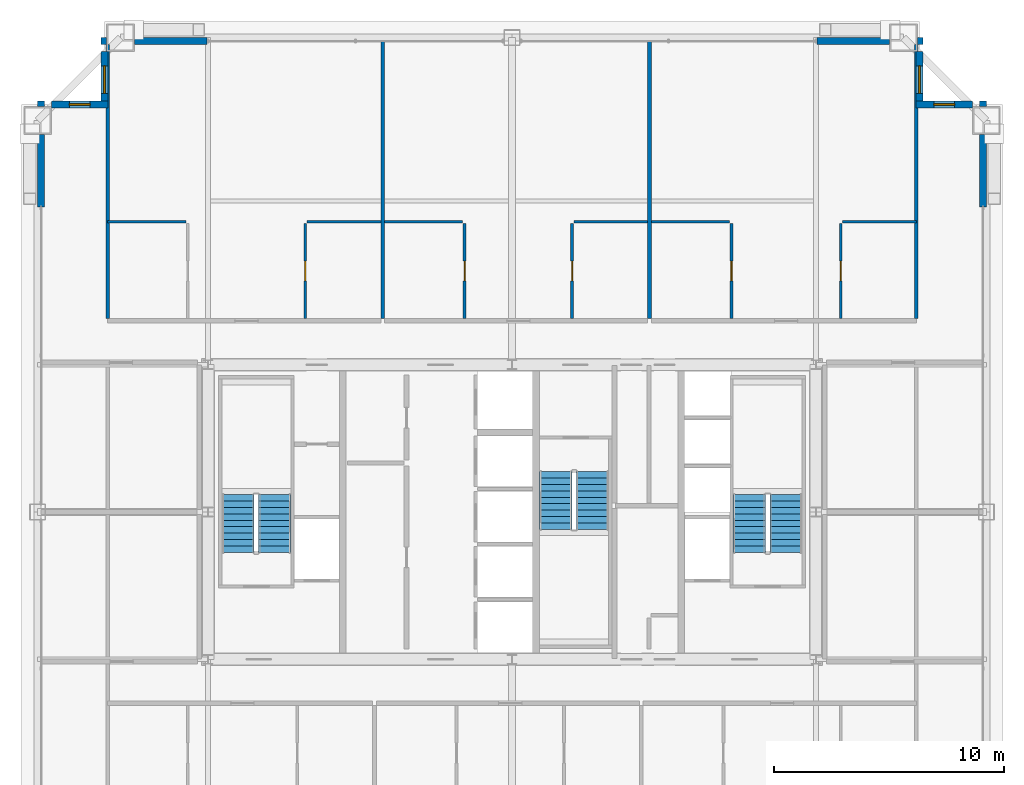
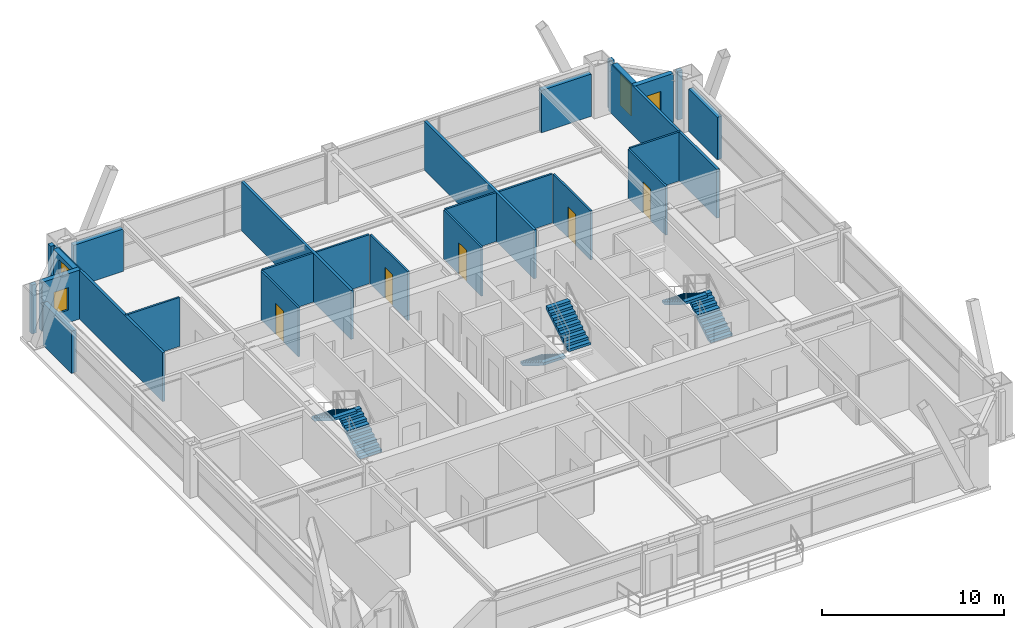
# One storey, part 33 of 34: 27 walls, 6 stair flights, 5 doors, 4 windows, 9 openings, 3 elements without a shape of their own.
"""IFC4 building model written with IfcOpenShell, lengths in metres."""

from ifc_helpers import new_model, si_unit, direction, frame, frame_2d, origin, place, context, subcontext, project, spatial, polyline, rectangle, outline, extrude, source, transform, mapped, material, layer, layer_set, type_object, element, fill, aggregate, save


model = new_model("IFC4")

# Units and contexts
model_context = context("Model", 3, precision=1e-05, world=origin(), true_north=direction((0.0, 1.0)))
body_context = subcontext(model_context, "Body", "Model", "MODEL_VIEW")
ifc_project = project(units=[si_unit("LENGTHUNIT", "METRE"), si_unit("AREAUNIT", "SQUARE_METRE"), si_unit("VOLUMEUNIT", "CUBIC_METRE"), si_unit("PLANEANGLEUNIT", "RADIAN"), si_unit("MASSUNIT", "GRAM", prefix="KILO"), si_unit("THERMODYNAMICTEMPERATUREUNIT", "KELVIN"), si_unit("POWERUNIT", "WATT")], contexts=[model_context])

# Site, building, storey
site_placement = place(None, origin())
site = spatial("IfcSite", under=ifc_project, at=site_placement, CompositionType="ELEMENT")
building_placement = place(site_placement, origin())
building = spatial("IfcBuilding", under=site, at=building_placement, Name="Yuzanri Waterfront Tower", CompositionType="ELEMENT")
storey_placement = place(building_placement, frame((0.0, 0.0, 241.60009765625)))
storey = spatial("IfcBuildingStorey", under=building, at=storey_placement, Name="L64", CompositionType="ELEMENT", Elevation=241.60009765625)

# Wall, opening, door
ifc_material_1 = material(Name="Moisture-Resistant Gypsum Stud Wall", Category="gypsum")
ifc_layer_1 = layer(ifc_material_1, 0.1201171875)
ifc_layer_set_1 = layer_set([ifc_layer_1], Name="Moisture-Resistant Gypsum Stud Wall")
wall_type_1 = type_object("IfcWallType", Name="Bathroom and Kitchen Wet Partition 120", PredefinedType="PARTITIONING", material=ifc_layer_set_1)
wall_1_placement = place(storey_placement, frame((28.02099609375, 34.2099609375, 0.0), z_axis=(0.0, 0.0, 1.0), x_axis=(0.0, 1.0, 0.0)))
wall_1 = element("IfcWall", 1, at=wall_1_placement, inside=storey, type_object=wall_type_1, Name="L64 Partition UW-L64-RN1-SUB-2-W", PredefinedType="PARTITIONING", context=body_context, shape_type="SweptSolid", body=[
    extrude(rectangle(XDim=4.110107421875, YDim=0.1201171875, at=frame_2d((2.05517578125, 0.0))), origin(), (0.0, 0.0, 1.0), 3.27978515625),
])
opening_1_placement = place(wall_1_placement, frame((1.6298828125, 0.0, 0.0)))
opening_1 = element("IfcOpeningElement", 2, at=opening_1_placement, cuts=wall_1, Name="Opening ID-0850", PredefinedType="OPENING", context=body_context, shape_type="SweptSolid", body=[
    extrude(rectangle(XDim=0.85009765625, YDim=2.10009765625, at=frame_2d((0.425048828125, 1.050048828125))), frame((0.0, 0.074951171875, 0.0), z_axis=(0.0, -1.0, 0.0), x_axis=(1.0, 0.0, 0.0)), (0.0, 0.0, 1.0), 0.14990234375),
])
ifc_material_2 = material(Name="Moisture-Resistant Lacquered Timber", Category="wood")
door_type = type_object("IfcDoorType", Name="En-Suite Bathroom and Kitchen Swing Door 850x2100", OperationType="NOTDEFINED", PredefinedType="DOOR", material=ifc_material_2)
shared_shape_1 = source(origin(), body_context, "Body", "SweptSolid", [
    extrude(rectangle(XDim=0.85009765625, YDim=2.10009765625, at=frame_2d((0.425048828125, 1.050048828125))), frame((0.0, 0.02490234375, 0.0), z_axis=(0.0, -1.0, 0.0), x_axis=(1.0, 0.0, 0.0)), (0.0, 0.0, 1.0), 0.050048828125),
])
door_1_placement = place(opening_1_placement, origin())
door_1 = element("IfcDoor", 3, at=door_1_placement, inside=storey, type_object=door_type, Name="L64 Suite Interior Room Door", OperationType="SINGLE_SWING_LEFT", OverallHeight=2.10009765625, OverallWidth=0.85009765625, PredefinedType="DOOR", context=body_context, shape_type="MappedRepresentation", body=[
    mapped(shared_shape_1, transform((0.0, 0.0, 0.0), scale=1.0)),
])
fill(opening_1, door_1)

wall_2_placement = place(storey_placement, frame((34.94091796875, 34.2099609375, 0.0), z_axis=(0.0, 0.0, 1.0), x_axis=(0.0, 1.0, 0.0)))
wall_2 = element("IfcWall", 4, at=wall_2_placement, inside=storey, type_object=wall_type_1, Name="L64 Partition UW-L64-RN2-SUB-1-E", PredefinedType="PARTITIONING", context=body_context, shape_type="SweptSolid", body=[
    extrude(rectangle(XDim=4.110107421875, YDim=0.1201171875, at=frame_2d((2.05517578125, 0.0))), origin(), (0.0, 0.0, 1.0), 3.27978515625),
])
opening_2_placement = place(wall_2_placement, frame((1.6298828125, 0.0, 0.0)))
opening_2 = element("IfcOpeningElement", 5, at=opening_2_placement, cuts=wall_2, Name="Opening ID-0850", PredefinedType="OPENING", context=body_context, shape_type="SweptSolid", body=[
    extrude(rectangle(XDim=0.85009765625, YDim=2.10009765625, at=frame_2d((0.425048828125, 1.050048828125))), frame((0.0, 0.074951171875, 0.0), z_axis=(0.0, -1.0, 0.0), x_axis=(1.0, 0.0, 0.0)), (0.0, 0.0, 1.0), 0.14990234375),
])
door_2_placement = place(opening_2_placement, origin())
door_2 = element("IfcDoor", 6, at=door_2_placement, inside=storey, type_object=door_type, Name="L64 Suite Interior Room Door", OperationType="SINGLE_SWING_LEFT", OverallHeight=2.10009765625, OverallWidth=0.85009765625, PredefinedType="DOOR", context=body_context, shape_type="MappedRepresentation", body=[
    mapped(shared_shape_1, transform((0.0, 0.0, 0.0), scale=1.0)),
])
fill(opening_2, door_2)

wall_3_placement = place(storey_placement, frame((39.610107421875, 34.2099609375, 0.0), z_axis=(0.0, 0.0, 1.0), x_axis=(0.0, 1.0, 0.0)))
wall_3 = element("IfcWall", 7, at=wall_3_placement, inside=storey, type_object=wall_type_1, Name="L64 Partition UW-L64-RN2-SUB-2-W", PredefinedType="PARTITIONING", context=body_context, shape_type="SweptSolid", body=[
    extrude(rectangle(XDim=4.110107421875, YDim=0.1201171875, at=frame_2d((2.05517578125, 0.0))), origin(), (0.0, 0.0, 1.0), 3.27978515625),
])
opening_3_placement = place(wall_3_placement, frame((1.6298828125, 0.0, 0.0)))
opening_3 = element("IfcOpeningElement", 8, at=opening_3_placement, cuts=wall_3, Name="Opening ID-0850", PredefinedType="OPENING", context=body_context, shape_type="SweptSolid", body=[
    extrude(rectangle(XDim=0.85009765625, YDim=2.10009765625, at=frame_2d((0.425048828125, 1.050048828125))), frame((0.0, 0.074951171875, 0.0), z_axis=(0.0, -1.0, 0.0), x_axis=(1.0, 0.0, 0.0)), (0.0, 0.0, 1.0), 0.14990234375),
])
door_3_placement = place(opening_3_placement, origin())
door_3 = element("IfcDoor", 9, at=door_3_placement, inside=storey, type_object=door_type, Name="L64 Suite Interior Room Door", OperationType="SINGLE_SWING_RIGHT", OverallHeight=2.10009765625, OverallWidth=0.85009765625, PredefinedType="DOOR", context=body_context, shape_type="MappedRepresentation", body=[
    mapped(shared_shape_1, transform((0.0, 0.0, 0.0), scale=1.0)),
])
fill(opening_3, door_3)

wall_4_placement = place(storey_placement, frame((46.530029296875, 34.2099609375, 0.0), z_axis=(0.0, 0.0, 1.0), x_axis=(0.0, 1.0, 0.0)))
wall_4 = element("IfcWall", 10, at=wall_4_placement, inside=storey, type_object=wall_type_1, Name="L64 Partition UW-L64-RN3-SUB-1-E", PredefinedType="PARTITIONING", context=body_context, shape_type="SweptSolid", body=[
    extrude(rectangle(XDim=4.110107421875, YDim=0.1201171875, at=frame_2d((2.05517578125, 0.0))), origin(), (0.0, 0.0, 1.0), 3.27978515625),
])
opening_4_placement = place(wall_4_placement, frame((1.6298828125, 0.0, 0.0)))
opening_4 = element("IfcOpeningElement", 11, at=opening_4_placement, cuts=wall_4, Name="Opening ID-0850", PredefinedType="OPENING", context=body_context, shape_type="SweptSolid", body=[
    extrude(rectangle(XDim=0.85009765625, YDim=2.10009765625, at=frame_2d((0.425048828125, 1.050048828125))), frame((0.0, 0.074951171875, 0.0), z_axis=(0.0, -1.0, 0.0), x_axis=(1.0, 0.0, 0.0)), (0.0, 0.0, 1.0), 0.14990234375),
])
door_4_placement = place(opening_4_placement, origin())
door_4 = element("IfcDoor", 12, at=door_4_placement, inside=storey, type_object=door_type, Name="L64 Suite Interior Room Door", OperationType="SINGLE_SWING_RIGHT", OverallHeight=2.10009765625, OverallWidth=0.85009765625, PredefinedType="DOOR", context=body_context, shape_type="MappedRepresentation", body=[
    mapped(shared_shape_1, transform((0.0, 0.0, 0.0), scale=1.0)),
])
fill(opening_4, door_4)

wall_5_placement = place(storey_placement, frame((51.280029296875, 34.2099609375, 0.0), z_axis=(0.0, 0.0, 1.0), x_axis=(0.0, 1.0, 0.0)))
wall_5 = element("IfcWall", 13, at=wall_5_placement, inside=storey, type_object=wall_type_1, Name="L64 Partition UW-L64-RN3-SUB-2-W", PredefinedType="PARTITIONING", context=body_context, shape_type="SweptSolid", body=[
    extrude(rectangle(XDim=4.110107421875, YDim=0.1201171875, at=frame_2d((2.05517578125, 0.0))), origin(), (0.0, 0.0, 1.0), 3.27978515625),
])
opening_5_placement = place(wall_5_placement, frame((1.6298828125, 0.0, 0.0)))
opening_5 = element("IfcOpeningElement", 14, at=opening_5_placement, cuts=wall_5, Name="Opening ID-0850", PredefinedType="OPENING", context=body_context, shape_type="SweptSolid", body=[
    extrude(rectangle(XDim=0.85009765625, YDim=2.10009765625, at=frame_2d((0.425048828125, 1.050048828125))), frame((0.0, 0.074951171875, 0.0), z_axis=(0.0, -1.0, 0.0), x_axis=(1.0, 0.0, 0.0)), (0.0, 0.0, 1.0), 0.14990234375),
])
door_5_placement = place(opening_5_placement, origin())
door_5 = element("IfcDoor", 15, at=door_5_placement, inside=storey, type_object=door_type, Name="L64 Suite Interior Room Door", OperationType="SINGLE_SWING_LEFT", OverallHeight=2.10009765625, OverallWidth=0.85009765625, PredefinedType="DOOR", context=body_context, shape_type="MappedRepresentation", body=[
    mapped(shared_shape_1, transform((0.0, 0.0, 0.0), scale=1.0)),
])
fill(opening_5, door_5)

# Wall, opening, window
ifc_material_3 = material(Name="Honed Chongqing Dark Basalt Stone", Category="masonry")
ifc_layer_2 = layer(ifc_material_3, 0.300048828125)
ifc_layer_set_2 = layer_set([ifc_layer_2], Name="Honed Chongqing Dark Basalt Stone")
wall_type_2 = type_object("IfcWallType", Name="Bronze Rainscreen Insulated Spandrel Portal Wall 300", PredefinedType="SOLIDWALL", material=ifc_layer_set_2)
wall_6_placement = place(storey_placement, frame((19.449951171875, 43.5, 0.0), z_axis=(0.0, 0.0, 1.0), x_axis=(-1.0, 0.0, 0.0)))
wall_6 = element("IfcWall", 16, at=wall_6_placement, inside=storey, type_object=wall_type_2, Name="L64 Notched Corner Masonry Wall NW-X", PredefinedType="SOLIDWALL", context=body_context, shape_type="SweptSolid", body=[
    extrude(rectangle(XDim=2.449951171875, YDim=0.300048828125, at=frame_2d((1.22509765625, 0.0))), origin(), (0.0, 0.0, 1.0), 3.27978515625),
])
opening_6_placement = place(wall_6_placement, frame((0.77490234375, 0.0, 0.85009765625)))
opening_6 = element("IfcOpeningElement", 17, at=opening_6_placement, cuts=wall_6, Name="Opening WN-05", PredefinedType="OPENING", context=body_context, shape_type="SweptSolid", body=[
    extrude(rectangle(XDim=0.89990234375, YDim=1.5, at=frame_2d((0.449951171875, 0.75))), frame((0.0, 0.1650390625, 0.0), z_axis=(0.0, -1.0, 0.0), x_axis=(1.0, 0.0, 0.0)), (0.0, 0.0, 1.0), 0.329833984375),
])
ifc_material_4 = material(Name="Double-Silver Low-E Insulated Glass", Category="glass")
window_type_1 = type_object("IfcWindowType", Name="Anodized Bronze Service and Stairwell Smoke-Vent Window 900x1500", PartitioningType="SINGLE_PANEL", PredefinedType="WINDOW", material=ifc_material_4)
shared_shape_2 = source(origin(), body_context, "Body", "SweptSolid", [
    extrude(rectangle(XDim=0.89990234375, YDim=1.5, at=frame_2d((0.449951171875, 0.75))), frame((0.0, 0.030029296875, 0.0), z_axis=(0.0, -1.0, 0.0), x_axis=(1.0, 0.0, 0.0)), (0.0, 0.0, 1.0), 0.06005859375),
])
window_1_placement = place(opening_6_placement, origin())
window_1 = element("IfcWindow", 18, at=window_1_placement, inside=storey, type_object=window_type_1, Name="L64 Notched Corner Window NW-X", OverallHeight=1.5, OverallWidth=0.89990234375, PartitioningType="SINGLE_PANEL", PredefinedType="WINDOW", context=body_context, shape_type="MappedRepresentation", body=[
    mapped(shared_shape_2, transform((0.0, 0.0, 0.0), scale=1.0)),
])
fill(opening_6, window_1)

wall_7_placement = place(storey_placement, frame((19.300048828125, 45.800048828125, 0.0), z_axis=(0.0, 0.0, 1.0), x_axis=(0.0, -1.0, 0.0)))
wall_7 = element("IfcWall", 19, at=wall_7_placement, inside=storey, type_object=wall_type_2, Name="L64 Notched Corner Masonry Wall NW-Y", PredefinedType="SOLIDWALL", context=body_context, shape_type="SweptSolid", body=[
    extrude(rectangle(XDim=2.449951171875, YDim=0.300048828125, at=frame_2d((1.22509765625, 0.0))), origin(), (0.0, 0.0, 1.0), 3.27978515625),
])
opening_7_placement = place(wall_7_placement, frame((0.625, 0.0, 0.85009765625)))
opening_7 = element("IfcOpeningElement", 20, at=opening_7_placement, cuts=wall_7, Name="Opening WN-02", PredefinedType="OPENING", context=body_context, shape_type="SweptSolid", body=[
    extrude(rectangle(XDim=1.199951171875, YDim=2.10009765625, at=frame_2d((0.60009765625, 1.050048828125))), frame((0.0, 0.1650390625, 0.0), z_axis=(0.0, -1.0, 0.0), x_axis=(1.0, 0.0, 0.0)), (0.0, 0.0, 1.0), 0.329833984375),
])
ifc_material_5 = material(Name="Double-Silver Low-E Insulated Glass", Category="glass")
window_type_2 = type_object("IfcWindowType", Name="Anodized Bronze Notched Corner Deep-Set Slot Window 1200x2100", PartitioningType="SINGLE_PANEL", PredefinedType="WINDOW", material=ifc_material_5)
shared_shape_3 = source(origin(), body_context, "Body", "SweptSolid", [
    extrude(rectangle(XDim=1.199951171875, YDim=2.10009765625, at=frame_2d((0.60009765625, 1.050048828125))), frame((0.0, 0.030029296875, 0.0), z_axis=(0.0, -1.0, 0.0), x_axis=(1.0, 0.0, 0.0)), (0.0, 0.0, 1.0), 0.06005859375),
])
window_2_placement = place(opening_7_placement, origin())
window_2 = element("IfcWindow", 21, at=window_2_placement, inside=storey, type_object=window_type_2, Name="L64 Notched Corner Window NW-Y", OverallHeight=2.10009765625, OverallWidth=1.199951171875, PartitioningType="SINGLE_PANEL", PredefinedType="WINDOW", context=body_context, shape_type="MappedRepresentation", body=[
    mapped(shared_shape_3, transform((0.0, 0.0, 0.0), scale=1.0)),
])
fill(opening_7, window_2)

wall_8_placement = place(storey_placement, frame((57.0, 43.5, 0.0), z_axis=(0.0, 0.0, 1.0), x_axis=(-1.0, 0.0, 0.0)))
wall_8 = element("IfcWall", 22, at=wall_8_placement, inside=storey, type_object=wall_type_2, Name="L64 Notched Corner Masonry Wall NE-X", PredefinedType="SOLIDWALL", context=body_context, shape_type="SweptSolid", body=[
    extrude(rectangle(XDim=2.449951171875, YDim=0.300048828125, at=frame_2d((1.22509765625, 0.0))), origin(), (0.0, 0.0, 1.0), 3.27978515625),
])
opening_8_placement = place(wall_8_placement, frame((0.77490234375, 0.0, 0.85009765625)))
opening_8 = element("IfcOpeningElement", 23, at=opening_8_placement, cuts=wall_8, Name="Opening WN-05", PredefinedType="OPENING", context=body_context, shape_type="SweptSolid", body=[
    extrude(rectangle(XDim=0.89990234375, YDim=1.5, at=frame_2d((0.449951171875, 0.75))), frame((0.0, 0.1650390625, 0.0), z_axis=(0.0, -1.0, 0.0), x_axis=(1.0, 0.0, 0.0)), (0.0, 0.0, 1.0), 0.329833984375),
])
window_3_placement = place(opening_8_placement, origin())
window_3 = element("IfcWindow", 24, at=window_3_placement, inside=storey, type_object=window_type_1, Name="L64 Notched Corner Window NE-X", OverallHeight=1.5, OverallWidth=0.89990234375, PartitioningType="SINGLE_PANEL", PredefinedType="WINDOW", context=body_context, shape_type="MappedRepresentation", body=[
    mapped(shared_shape_2, transform((0.0, 0.0, 0.0), scale=1.0)),
])
fill(opening_8, window_3)

wall_9_placement = place(storey_placement, frame((54.699951171875, 43.35009765625, 0.0), z_axis=(0.0, 0.0, 1.0), x_axis=(0.0, 1.0, 0.0)))
wall_9 = element("IfcWall", 25, at=wall_9_placement, inside=storey, type_object=wall_type_2, Name="L64 Notched Corner Masonry Wall NE-Y", PredefinedType="SOLIDWALL", context=body_context, shape_type="SweptSolid", body=[
    extrude(rectangle(XDim=2.449951171875, YDim=0.300048828125, at=frame_2d((1.22509765625, 0.0))), origin(), (0.0, 0.0, 1.0), 3.27978515625),
])
opening_9_placement = place(wall_9_placement, frame((0.625, 0.0, 0.85009765625)))
opening_9 = element("IfcOpeningElement", 26, at=opening_9_placement, cuts=wall_9, Name="Opening WN-02", PredefinedType="OPENING", context=body_context, shape_type="SweptSolid", body=[
    extrude(rectangle(XDim=1.199951171875, YDim=2.10009765625, at=frame_2d((0.60009765625, 1.050048828125))), frame((0.0, 0.1650390625, 0.0), z_axis=(0.0, -1.0, 0.0), x_axis=(1.0, 0.0, 0.0)), (0.0, 0.0, 1.0), 0.329833984375),
])
window_4_placement = place(opening_9_placement, origin())
window_4 = element("IfcWindow", 27, at=window_4_placement, inside=storey, type_object=window_type_2, Name="L64 Notched Corner Window NE-Y", OverallHeight=2.10009765625, OverallWidth=1.199951171875, PartitioningType="SINGLE_PANEL", PredefinedType="WINDOW", context=body_context, shape_type="MappedRepresentation", body=[
    mapped(shared_shape_3, transform((0.0, 0.0, 0.0), scale=1.0)),
])
fill(opening_9, window_4)

# Walls
shared_shape_4 = source(origin(), body_context, "Body", "SweptSolid", [
    extrude(rectangle(XDim=0.25, YDim=0.300048828125, at=frame_2d((0.125, 0.0))), origin(), (0.0, 0.0, 1.0), 3.27978515625),
])
for number, where, z_axis, x_axis, name in (
    (28, (19.14990234375, 46.25, 0.0), (0.0, 0.0, 1.0), (1.0, 0.0, 0.0), "L64 Corner Column Shoulder Return CNW"),
    (29, (54.60009765625, 46.25, 0.0), (0.0, 0.0, 1.0), (1.0, 0.0, 0.0), "L64 Corner Column Shoulder Return CNE"),
    (30, (16.550048828125, 43.39990234375, 0.0), (0.0, 0.0, 1.0), (0.0, 1.0, 0.0), "L64 Corner Column Shoulder Return CWN"),
    (31, (57.449951171875, 43.39990234375, 0.0), (0.0, 0.0, 1.0), (0.0, 1.0, 0.0), "L64 Corner Column Shoulder Return CEN"),
):
    element("IfcWall", number, at=place(storey_placement, frame(where, z_axis=z_axis, x_axis=x_axis)), inside=storey, type_object=wall_type_2, Name=name, PredefinedType="SOLIDWALL", context=body_context, shape_type="MappedRepresentation", body=[
        mapped(shared_shape_4, transform((0.0, 0.0, 0.0), scale=1.0)),
    ])
shared_shape_5 = source(origin(), body_context, "Body", "SweptSolid", [
    extrude(rectangle(XDim=3.14990234375, YDim=0.300048828125, at=frame_2d((1.574951171875, 0.0))), origin(), (0.0, 0.0, 1.0), 2.8349609375),
])
for number, where, z_axis, x_axis, name in (
    (32, (20.60009765625, 46.25, 0.0), (0.0, 0.0, 1.0), (1.0, 0.0, 0.0), "L64 N Left Braced Masonry Shoulder"),
    (33, (50.25, 46.25, 0.0), (0.0, 0.0, 1.0), (1.0, 0.0, 0.0), "L64 N Right Braced Masonry Shoulder"),
    (34, (16.550048828125, 39.050048828125, 0.0), (0.0, 0.0, 1.0), (0.0, 1.0, 0.0), "L64 W Right Braced Masonry Shoulder"),
    (35, (57.449951171875, 39.050048828125, 0.0), (0.0, 0.0, 1.0), (0.0, 1.0, 0.0), "L64 E Right Braced Masonry Shoulder"),
):
    element("IfcWall", number, at=place(storey_placement, frame(where, z_axis=z_axis, x_axis=x_axis)), inside=storey, type_object=wall_type_2, Name=name, PredefinedType="SOLIDWALL", context=body_context, shape_type="MappedRepresentation", body=[
        mapped(shared_shape_5, transform((0.0, 0.0, 0.0), scale=1.0)),
    ])
shared_shape_6 = source(origin(), body_context, "Body", "SweptSolid", [
    extrude(rectangle(XDim=3.400146484375, YDim=0.1201171875, at=frame_2d((1.7001953125, 0.0))), origin(), (0.0, 0.0, 1.0), 3.27978515625),
])
for number, where, z_axis, x_axis, name in (
    (36, (19.43994140625, 38.39990234375, 0.0), (0.0, 0.0, 1.0), (1.0, 0.0, 0.0), "L64 Partition UW-L64-RN1-SUB-1-N"),
    (37, (31.4609375, 38.39990234375, 0.0), (0.0, 0.0, 1.0), (1.0, 0.0, 0.0), "L64 Partition UW-L64-RN2-SUB-1-N"),
):
    element("IfcWall", number, at=place(storey_placement, frame(where, z_axis=z_axis, x_axis=x_axis)), inside=storey, type_object=wall_type_1, Name=name, PredefinedType="PARTITIONING", context=body_context, shape_type="MappedRepresentation", body=[
        mapped(shared_shape_6, transform((0.0, 0.0, 0.0), scale=1.0)),
    ])
shared_shape_7 = source(origin(), body_context, "Body", "SweptSolid", [
    extrude(rectangle(XDim=3.199951171875, YDim=0.1201171875, at=frame_2d((1.60009765625, 0.0))), origin(), (0.0, 0.0, 1.0), 3.27978515625),
])
for number, where, z_axis, x_axis, name in (
    (38, (28.10107421875, 38.39990234375, 0.0), (0.0, 0.0, 1.0), (1.0, 0.0, 0.0), "L64 Partition UW-L64-RN1-SUB-2-N"),
    (39, (39.68994140625, 38.39990234375, 0.0), (0.0, 0.0, 1.0), (1.0, 0.0, 0.0), "L64 Partition UW-L64-RN2-SUB-2-N"),
    (40, (51.360107421875, 38.39990234375, 0.0), (0.0, 0.0, 1.0), (1.0, 0.0, 0.0), "L64 Partition UW-L64-RN3-SUB-2-N"),
):
    element("IfcWall", number, at=place(storey_placement, frame(where, z_axis=z_axis, x_axis=x_axis)), inside=storey, type_object=wall_type_1, Name=name, PredefinedType="PARTITIONING", context=body_context, shape_type="MappedRepresentation", body=[
        mapped(shared_shape_7, transform((0.0, 0.0, 0.0), scale=1.0)),
    ])
ifc_material_6 = material(Name="Gypsum Fireboard Acoustic Stud Wall", Category="gypsum")
ifc_layer_3 = layer(ifc_material_6, 0.159912109375)
ifc_layer_set_3 = layer_set([ifc_layer_3], Name="Gypsum Fireboard Acoustic Stud Wall")
wall_type_3 = type_object("IfcWallType", Name="Acoustic Suite Demising Partition 160", PredefinedType="PARTITIONING", material=ifc_layer_set_3)
shared_shape_8 = source(origin(), body_context, "Body", "SweptSolid", [
    extrude(rectangle(XDim=11.89013671875, YDim=0.159912109375, at=frame_2d((5.945068359375, 0.0))), origin(), (0.0, 0.0, 1.0), 3.27978515625),
])
for number, where, z_axis, x_axis, name in (
    (41, (19.449951171875, 34.2099609375, 0.0), (0.0, 0.0, 1.0), (0.0, 1.0, 0.0), "L64 North Band West End Wall"),
    (42, (54.550048828125, 34.2099609375, 0.0), (0.0, 0.0, 1.0), (0.0, 1.0, 0.0), "L64 North Band East End Wall"),
):
    element("IfcWall", number, at=place(storey_placement, frame(where, z_axis=z_axis, x_axis=x_axis)), inside=storey, type_object=wall_type_3, Name=name, PredefinedType="PARTITIONING", context=body_context, shape_type="MappedRepresentation", body=[
        mapped(shared_shape_8, transform((0.0, 0.0, 0.0), scale=1.0)),
    ])
shared_shape_9 = source(origin(), body_context, "Body", "SweptSolid", [
    extrude(rectangle(XDim=3.39990234375, YDim=0.1201171875, at=frame_2d((1.699951171875, 0.0))), origin(), (0.0, 0.0, 1.0), 3.27978515625),
])
wall_10_placement = place(storey_placement, frame((43.050048828125, 38.39990234375, 0.0), z_axis=(0.0, 0.0, 1.0), x_axis=(1.0, 0.0, 0.0)))
element("IfcWall", 43, at=wall_10_placement, inside=storey, type_object=wall_type_1, Name="L64 Partition UW-L64-RN3-SUB-1-N", PredefinedType="PARTITIONING", context=body_context, shape_type="MappedRepresentation", body=[
    mapped(shared_shape_9, transform((0.0, 0.0, 0.0), scale=1.0)),
])
shared_shape_10 = source(origin(), body_context, "Body", "SweptSolid", [
    extrude(rectangle(XDim=12.0400390625, YDim=0.159912109375, at=frame_2d((6.02001953125, 0.0))), origin(), (0.0, 0.0, 1.0), 3.27978515625),
])
for number, where, z_axis, x_axis, name in (
    (44, (31.381103515625, 34.2099609375, 0.0), (0.0, 0.0, 1.0), (0.0, 1.0, 0.0), "L64-RN1 Party Wall"),
    (45, (42.969970703125, 34.2099609375, 0.0), (0.0, 0.0, 1.0), (0.0, 1.0, 0.0), "L64-RN2 Party Wall"),
):
    element("IfcWall", number, at=place(storey_placement, frame(where, z_axis=z_axis, x_axis=x_axis)), inside=storey, type_object=wall_type_3, Name=name, PredefinedType="PARTITIONING", context=body_context, shape_type="MappedRepresentation", body=[
        mapped(shared_shape_10, transform((0.0, 0.0, 0.0), scale=1.0)),
    ])

# Stair, stair flights
ifc_material_7 = material(Name="Concrete C40", Category="concrete")
stair_type = type_object("IfcStairType", Name="Concrete C40 Core Dogleg Exit Stair", PredefinedType="HALF_TURN_STAIR", material=ifc_material_7)
stair_1_placement = place(storey_placement, origin())
stair_1 = element("IfcStair", 46, at=stair_1_placement, inside=storey, type_object=stair_type, Name="L64 Smoke-Proof Core Stair ST-01", PredefinedType="HALF_TURN_STAIR")
ifc_material_8 = material(Name="Concrete C40", Category="concrete")
stair_flight_type = type_object("IfcStairFlightType", Name="Concrete C40 Precast Stair Flight 1380", PredefinedType="STRAIGHT", material=ifc_material_8)
shared_shape_11 = source(origin(), body_context, "Body", "SweptSolid", [
    extrude(outline(polyline([(0.0, 0.0), (0.0, 0.175048828125), (0.280029296875, 0.175048828125), (0.280029296875, 0.35009765625), (0.56005859375, 0.35009765625), (0.56005859375, 0.52490234375), (0.840087890625, 0.52490234375), (0.840087890625, 0.699951171875), (1.1201171875, 0.699951171875), (1.1201171875, 0.875), (1.39990234375, 0.875), (1.39990234375, 1.050048828125), (1.679931640625, 1.050048828125), (1.679931640625, 1.22509765625), (1.9599609375, 1.22509765625), (1.9599609375, 1.39990234375), (2.239990234375, 1.39990234375), (2.239990234375, 1.574951171875), (2.52001953125, 1.574951171875), (2.52001953125, 1.75), (2.52001953125, 1.398193359375), (0.28271484375, 0.0), (0.0, 0.0)])), frame((0.0, 0.699951171875, 0.0), z_axis=(0.0, -1.0, 0.0), x_axis=(1.0, 0.0, 0.0)), (0.0, 0.0, 1.0), 1.39990234375),
])
stair_flight_1_placement = place(storey_placement, frame((26.699951171875, 24.0400390625, 0.0), z_axis=(0.0, 0.0, 1.0), x_axis=(0.0, 1.0, 0.0)))
stair_flight_1 = element("IfcStairFlight", 47, at=stair_flight_1_placement, type_object=stair_flight_type, Name="ST-01 flight 1", NumberOfRisers=10, NumberOfTreads=9, PredefinedType="STRAIGHT", RiserHeight=0.175, TreadLength=0.28, context=body_context, shape_type="MappedRepresentation", body=[
    mapped(shared_shape_11, transform((0.0, 0.0, 0.0), scale=1.0)),
])
stair_flight_2_placement = place(storey_placement, frame((25.10009765625, 26.56005859375, 1.75), z_axis=(0.0, 0.0, 1.0), x_axis=(0.0, -1.0, 0.0)))
stair_flight_2 = element("IfcStairFlight", 48, at=stair_flight_2_placement, type_object=stair_flight_type, Name="ST-01 flight 2", NumberOfRisers=10, NumberOfTreads=9, PredefinedType="STRAIGHT", RiserHeight=0.175, TreadLength=0.28, context=body_context, shape_type="MappedRepresentation", body=[
    mapped(shared_shape_11, transform((0.0, 0.0, 0.0), scale=1.0)),
])
aggregate(stair_1, [stair_flight_1, stair_flight_2])

stair_2_placement = place(storey_placement, origin())
stair_2 = element("IfcStair", 49, at=stair_2_placement, inside=storey, type_object=stair_type, Name="L64 Smoke-Proof Core Stair ST-02", PredefinedType="HALF_TURN_STAIR")
stair_flight_3_placement = place(storey_placement, frame((48.89990234375, 24.0400390625, 0.0), z_axis=(0.0, 0.0, 1.0), x_axis=(0.0, 1.0, 0.0)))
stair_flight_3 = element("IfcStairFlight", 50, at=stair_flight_3_placement, type_object=stair_flight_type, Name="ST-02 flight 1", NumberOfRisers=10, NumberOfTreads=9, PredefinedType="STRAIGHT", RiserHeight=0.175, TreadLength=0.28, context=body_context, shape_type="MappedRepresentation", body=[
    mapped(shared_shape_11, transform((0.0, 0.0, 0.0), scale=1.0)),
])
stair_flight_4_placement = place(storey_placement, frame((47.300048828125, 26.56005859375, 1.75), z_axis=(0.0, 0.0, 1.0), x_axis=(0.0, -1.0, 0.0)))
stair_flight_4 = element("IfcStairFlight", 51, at=stair_flight_4_placement, type_object=stair_flight_type, Name="ST-02 flight 2", NumberOfRisers=10, NumberOfTreads=9, PredefinedType="STRAIGHT", RiserHeight=0.175, TreadLength=0.28, context=body_context, shape_type="MappedRepresentation", body=[
    mapped(shared_shape_11, transform((0.0, 0.0, 0.0), scale=1.0)),
])
aggregate(stair_2, [stair_flight_3, stair_flight_4])

stair_3_placement = place(storey_placement, origin())
stair_3 = element("IfcStair", 52, at=stair_3_placement, inside=storey, type_object=stair_type, Name="L64 Smoke-Proof Core Stair ST-03", PredefinedType="HALF_TURN_STAIR")
stair_flight_5_placement = place(storey_placement, frame((38.89990234375, 27.56005859375, 0.0), z_axis=(0.0, 0.0, 1.0), x_axis=(0.0, -1.0, 0.0)))
stair_flight_5 = element("IfcStairFlight", 53, at=stair_flight_5_placement, type_object=stair_flight_type, Name="ST-03 flight 1", NumberOfRisers=10, NumberOfTreads=9, PredefinedType="STRAIGHT", RiserHeight=0.175, TreadLength=0.28, context=body_context, shape_type="MappedRepresentation", body=[
    mapped(shared_shape_11, transform((0.0, 0.0, 0.0), scale=1.0)),
])
stair_flight_6_placement = place(storey_placement, frame((40.5, 25.0400390625, 1.75), z_axis=(0.0, 0.0, 1.0), x_axis=(0.0, 1.0, 0.0)))
stair_flight_6 = element("IfcStairFlight", 54, at=stair_flight_6_placement, type_object=stair_flight_type, Name="ST-03 flight 2", NumberOfRisers=10, NumberOfTreads=9, PredefinedType="STRAIGHT", RiserHeight=0.175, TreadLength=0.28, context=body_context, shape_type="MappedRepresentation", body=[
    mapped(shared_shape_11, transform((0.0, 0.0, 0.0), scale=1.0)),
])
aggregate(stair_3, [stair_flight_5, stair_flight_6])

save(model, "model.ifc")
